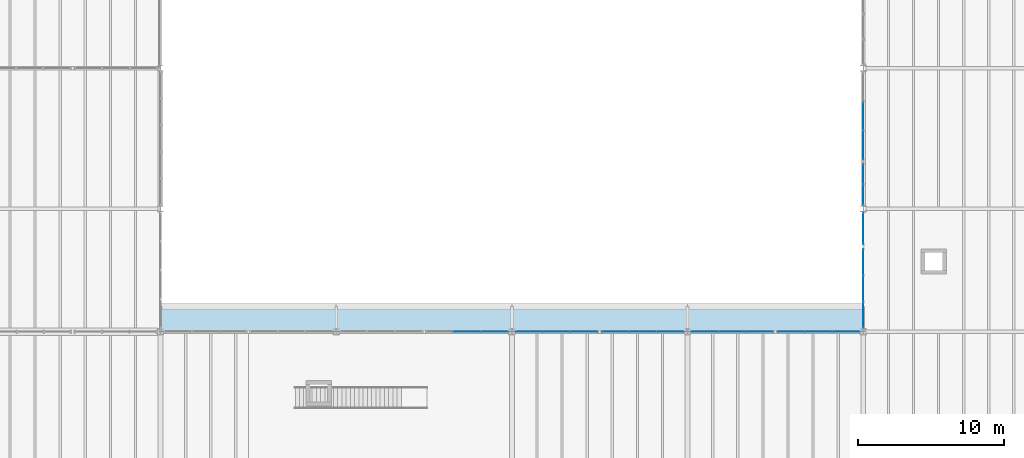
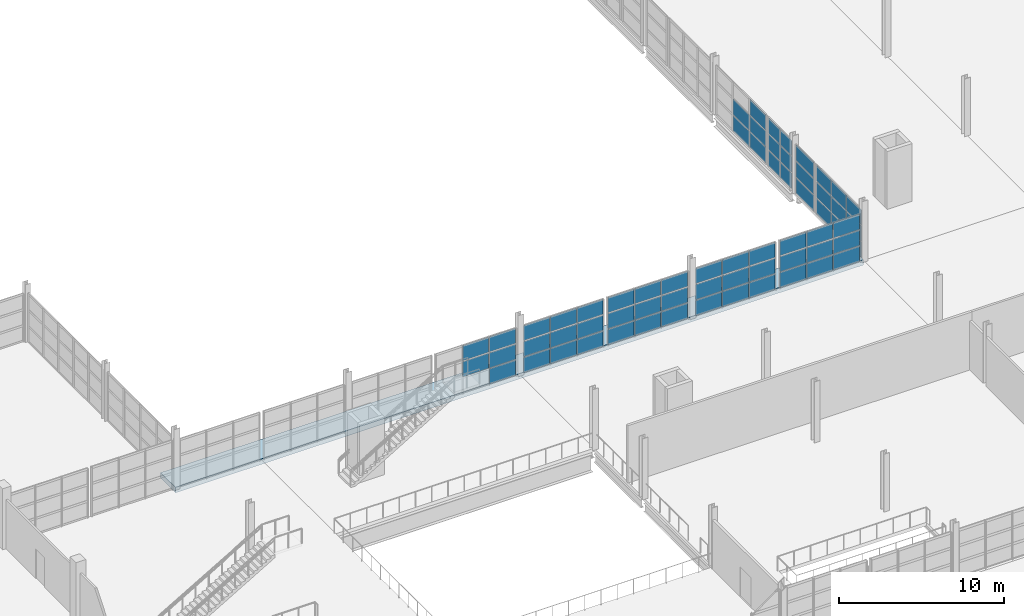
# One storey, part 80 of 114: 64 plates, 1 slab, 9 elements without a shape of their own.
"""IFC4 building model written with IfcOpenShell, lengths in metres."""

from ifc_helpers import new_model, si_unit, direction, frame, origin, origin_2d, place, context, subcontext, project, spatial, polyline, rectangle, outline, extrude, material, layer, layer_set, type_object, element, aggregate, save


model = new_model("IFC4")

# Units and contexts
model_context = context("Model", 3, precision=1e-05, world=origin(), true_north=direction((0.0, 1.0)))
body_context = subcontext(model_context, "Body", "Model", "MODEL_VIEW")
ifc_project = project(units=[si_unit("LENGTHUNIT", "METRE"), si_unit("AREAUNIT", "SQUARE_METRE"), si_unit("VOLUMEUNIT", "CUBIC_METRE"), si_unit("PLANEANGLEUNIT", "RADIAN"), si_unit("MASSUNIT", "GRAM", prefix="KILO")], contexts=[model_context])

# Site, building, storey
site_placement = place(None, origin())
site = spatial("IfcSite", under=ifc_project, at=site_placement, CompositionType="ELEMENT")
building_placement = place(site_placement, origin())
building = spatial("IfcBuilding", under=site, at=building_placement, Name="Kelmvaro Bay Concert Hall", CompositionType="ELEMENT")
storey_placement = place(building_placement, frame((0.0, 0.0, 4.800048828125)))
storey = spatial("IfcBuildingStorey", under=building, at=storey_placement, Name="L01", CompositionType="ELEMENT", Elevation=4.800048828125)

# Curtain wall, plates
ifc_material_1 = material(Name="Anodised Aluminium and Low-E Insulated Glazing", Category="aluminium")
curtain_wall_type = type_object("IfcCurtainWallType", Name="Mezzanine Concourse Curtain Wall 4100", PredefinedType="USERDEFINED", material=ifc_material_1)
curtain_wall_1_placement = place(storey_placement, origin())
curtain_wall_1 = element("IfcCurtainWall", 1, at=curtain_wall_1_placement, inside=storey, type_object=curtain_wall_type, Name="Unitised Curtain Wall CW-L01-071", ObjectType="UNITISED GLAZING", PredefinedType="USERDEFINED")
ifc_material_2 = material(Name="Laminated Low-E Insulated Glass", Category="glass")
ifc_layer_1 = layer(ifc_material_2, 1.85009765625)
ifc_layer_set_1 = layer_set([ifc_layer_1], Name="Laminated Low-E Insulated Glass")
plate_type = type_object("IfcPlateType", Name="Courtyard Clear Low-E Glazing Panel 22", PredefinedType="CURTAIN_PANEL", material=ifc_layer_set_1)
plate_1_placement = place(storey_placement, frame((80.94287109375, 39.0, 1.21142578125), z_axis=(0.0, 0.0, 1.0), x_axis=(1.0, 0.0, 0.0)))
plate_1 = element("IfcPlate", 2, at=plate_1_placement, type_object=plate_type, Name="CW-L01-071 Insulated Glazing Panel 02-2", PredefinedType="CURTAIN_PANEL", context=body_context, shape_type="SweptSolid", body=[
    extrude(rectangle(XDim=1.803466796875, YDim=0.02197265625, at=origin_2d()), origin(), (0.0, 0.0, 1.0), 1.114013671875),
])
plate_2_placement = place(storey_placement, frame((80.94287109375, 39.0, 2.390625), z_axis=(0.0, 0.0, 1.0), x_axis=(1.0, 0.0, 0.0)))
plate_2 = element("IfcPlate", 3, at=plate_2_placement, type_object=plate_type, Name="CW-L01-071 Insulated Glazing Panel 02-3", PredefinedType="CURTAIN_PANEL", context=body_context, shape_type="SweptSolid", body=[
    extrude(rectangle(XDim=1.803466796875, YDim=0.02197265625, at=origin_2d()), origin(), (0.0, 0.0, 1.0), 1.114013671875),
])
plate_3_placement = place(storey_placement, frame((82.811279296875, 39.0, 0.0322265625), z_axis=(0.0, 0.0, 1.0), x_axis=(1.0, 0.0, 0.0)))
plate_3 = element("IfcPlate", 4, at=plate_3_placement, type_object=plate_type, Name="CW-L01-071 Insulated Glazing Panel 03-1", PredefinedType="CURTAIN_PANEL", context=body_context, shape_type="SweptSolid", body=[
    extrude(rectangle(XDim=1.803466796875, YDim=0.02197265625, at=origin_2d()), origin(), (0.0, 0.0, 1.0), 1.114013671875),
])
plate_4_placement = place(storey_placement, frame((82.811279296875, 39.0, 1.21142578125), z_axis=(0.0, 0.0, 1.0), x_axis=(1.0, 0.0, 0.0)))
plate_4 = element("IfcPlate", 5, at=plate_4_placement, type_object=plate_type, Name="CW-L01-071 Insulated Glazing Panel 03-2", PredefinedType="CURTAIN_PANEL", context=body_context, shape_type="SweptSolid", body=[
    extrude(rectangle(XDim=1.803466796875, YDim=0.02197265625, at=origin_2d()), origin(), (0.0, 0.0, 1.0), 1.114013671875),
])
plate_5_placement = place(storey_placement, frame((82.811279296875, 39.0, 2.390625), z_axis=(0.0, 0.0, 1.0), x_axis=(1.0, 0.0, 0.0)))
plate_5 = element("IfcPlate", 6, at=plate_5_placement, type_object=plate_type, Name="CW-L01-071 Insulated Glazing Panel 03-3", PredefinedType="CURTAIN_PANEL", context=body_context, shape_type="SweptSolid", body=[
    extrude(rectangle(XDim=1.803466796875, YDim=0.02197265625, at=origin_2d()), origin(), (0.0, 0.0, 1.0), 1.114013671875),
])
aggregate(curtain_wall_1, [plate_1, plate_2, plate_3, plate_4, plate_5])

curtain_wall_2_placement = place(storey_placement, origin())
curtain_wall_2 = element("IfcCurtainWall", 7, at=curtain_wall_2_placement, inside=storey, type_object=curtain_wall_type, Name="Unitised Curtain Wall CW-L01-072", ObjectType="UNITISED GLAZING", PredefinedType="USERDEFINED")
plate_6_placement = place(storey_placement, frame((85.188720703125, 39.0, 0.0322265625), z_axis=(0.0, 0.0, 1.0), x_axis=(1.0, 0.0, 0.0)))
plate_6 = element("IfcPlate", 8, at=plate_6_placement, type_object=plate_type, Name="CW-L01-072 Insulated Glazing Panel 01-1", PredefinedType="CURTAIN_PANEL", context=body_context, shape_type="SweptSolid", body=[
    extrude(rectangle(XDim=1.803466796875, YDim=0.02197265625, at=origin_2d()), origin(), (0.0, 0.0, 1.0), 1.114013671875),
])
plate_7_placement = place(storey_placement, frame((85.188720703125, 39.0, 1.21142578125), z_axis=(0.0, 0.0, 1.0), x_axis=(1.0, 0.0, 0.0)))
plate_7 = element("IfcPlate", 9, at=plate_7_placement, type_object=plate_type, Name="CW-L01-072 Insulated Glazing Panel 01-2", PredefinedType="CURTAIN_PANEL", context=body_context, shape_type="SweptSolid", body=[
    extrude(rectangle(XDim=1.803466796875, YDim=0.02197265625, at=origin_2d()), origin(), (0.0, 0.0, 1.0), 1.114013671875),
])
plate_8_placement = place(storey_placement, frame((85.188720703125, 39.0, 2.390625), z_axis=(0.0, 0.0, 1.0), x_axis=(1.0, 0.0, 0.0)))
plate_8 = element("IfcPlate", 10, at=plate_8_placement, type_object=plate_type, Name="CW-L01-072 Insulated Glazing Panel 01-3", PredefinedType="CURTAIN_PANEL", context=body_context, shape_type="SweptSolid", body=[
    extrude(rectangle(XDim=1.803466796875, YDim=0.02197265625, at=origin_2d()), origin(), (0.0, 0.0, 1.0), 1.114013671875),
])
plate_9_placement = place(storey_placement, frame((87.05712890625, 39.0, 0.0322265625), z_axis=(0.0, 0.0, 1.0), x_axis=(1.0, 0.0, 0.0)))
plate_9 = element("IfcPlate", 11, at=plate_9_placement, type_object=plate_type, Name="CW-L01-072 Insulated Glazing Panel 02-1", PredefinedType="CURTAIN_PANEL", context=body_context, shape_type="SweptSolid", body=[
    extrude(rectangle(XDim=1.803466796875, YDim=0.02197265625, at=origin_2d()), origin(), (0.0, 0.0, 1.0), 1.114013671875),
])
plate_10_placement = place(storey_placement, frame((87.05712890625, 39.0, 1.21142578125), z_axis=(0.0, 0.0, 1.0), x_axis=(1.0, 0.0, 0.0)))
plate_10 = element("IfcPlate", 12, at=plate_10_placement, type_object=plate_type, Name="CW-L01-072 Insulated Glazing Panel 02-2", PredefinedType="CURTAIN_PANEL", context=body_context, shape_type="SweptSolid", body=[
    extrude(rectangle(XDim=1.803466796875, YDim=0.02197265625, at=origin_2d()), origin(), (0.0, 0.0, 1.0), 1.114013671875),
])
plate_11_placement = place(storey_placement, frame((87.05712890625, 39.0, 2.390625), z_axis=(0.0, 0.0, 1.0), x_axis=(1.0, 0.0, 0.0)))
plate_11 = element("IfcPlate", 13, at=plate_11_placement, type_object=plate_type, Name="CW-L01-072 Insulated Glazing Panel 02-3", PredefinedType="CURTAIN_PANEL", context=body_context, shape_type="SweptSolid", body=[
    extrude(rectangle(XDim=1.803466796875, YDim=0.02197265625, at=origin_2d()), origin(), (0.0, 0.0, 1.0), 1.114013671875),
])
plate_12_placement = place(storey_placement, frame((88.92578125, 39.0, 0.0322265625), z_axis=(0.0, 0.0, 1.0), x_axis=(1.0, 0.0, 0.0)))
plate_12 = element("IfcPlate", 14, at=plate_12_placement, type_object=plate_type, Name="CW-L01-072 Insulated Glazing Panel 03-1", PredefinedType="CURTAIN_PANEL", context=body_context, shape_type="SweptSolid", body=[
    extrude(rectangle(XDim=1.803466796875, YDim=0.02197265625, at=origin_2d()), origin(), (0.0, 0.0, 1.0), 1.114013671875),
])
plate_13_placement = place(storey_placement, frame((88.92578125, 39.0, 1.21142578125), z_axis=(0.0, 0.0, 1.0), x_axis=(1.0, 0.0, 0.0)))
plate_13 = element("IfcPlate", 15, at=plate_13_placement, type_object=plate_type, Name="CW-L01-072 Insulated Glazing Panel 03-2", PredefinedType="CURTAIN_PANEL", context=body_context, shape_type="SweptSolid", body=[
    extrude(rectangle(XDim=1.803466796875, YDim=0.02197265625, at=origin_2d()), origin(), (0.0, 0.0, 1.0), 1.114013671875),
])
plate_14_placement = place(storey_placement, frame((88.92578125, 39.0, 2.390625), z_axis=(0.0, 0.0, 1.0), x_axis=(1.0, 0.0, 0.0)))
plate_14 = element("IfcPlate", 16, at=plate_14_placement, type_object=plate_type, Name="CW-L01-072 Insulated Glazing Panel 03-3", PredefinedType="CURTAIN_PANEL", context=body_context, shape_type="SweptSolid", body=[
    extrude(rectangle(XDim=1.803466796875, YDim=0.02197265625, at=origin_2d()), origin(), (0.0, 0.0, 1.0), 1.114013671875),
])
aggregate(curtain_wall_2, [plate_6, plate_7, plate_8, plate_9, plate_10, plate_11, plate_12, plate_13, plate_14])

curtain_wall_3_placement = place(storey_placement, origin())
curtain_wall_3 = element("IfcCurtainWall", 17, at=curtain_wall_3_placement, inside=storey, type_object=curtain_wall_type, Name="Unitised Curtain Wall CW-L01-073", ObjectType="UNITISED GLAZING", PredefinedType="USERDEFINED")
plate_15_placement = place(storey_placement, frame((91.074462890625, 39.0, 0.0322265625), z_axis=(0.0, 0.0, 1.0), x_axis=(1.0, 0.0, 0.0)))
plate_15 = element("IfcPlate", 18, at=plate_15_placement, type_object=plate_type, Name="CW-L01-073 Insulated Glazing Panel 01-1", PredefinedType="CURTAIN_PANEL", context=body_context, shape_type="SweptSolid", body=[
    extrude(rectangle(XDim=1.803955078125, YDim=0.02197265625, at=origin_2d()), origin(), (0.0, 0.0, 1.0), 1.114013671875),
])
plate_16_placement = place(storey_placement, frame((91.074462890625, 39.0, 1.21142578125), z_axis=(0.0, 0.0, 1.0), x_axis=(1.0, 0.0, 0.0)))
plate_16 = element("IfcPlate", 19, at=plate_16_placement, type_object=plate_type, Name="CW-L01-073 Insulated Glazing Panel 01-2", PredefinedType="CURTAIN_PANEL", context=body_context, shape_type="SweptSolid", body=[
    extrude(rectangle(XDim=1.803955078125, YDim=0.02197265625, at=origin_2d()), origin(), (0.0, 0.0, 1.0), 1.114013671875),
])
plate_17_placement = place(storey_placement, frame((91.074462890625, 39.0, 2.390625), z_axis=(0.0, 0.0, 1.0), x_axis=(1.0, 0.0, 0.0)))
plate_17 = element("IfcPlate", 20, at=plate_17_placement, type_object=plate_type, Name="CW-L01-073 Insulated Glazing Panel 01-3", PredefinedType="CURTAIN_PANEL", context=body_context, shape_type="SweptSolid", body=[
    extrude(rectangle(XDim=1.803955078125, YDim=0.02197265625, at=origin_2d()), origin(), (0.0, 0.0, 1.0), 1.114013671875),
])
plate_18_placement = place(storey_placement, frame((92.943603515625, 39.0, 0.0322265625), z_axis=(0.0, 0.0, 1.0), x_axis=(1.0, 0.0, 0.0)))
plate_18 = element("IfcPlate", 21, at=plate_18_placement, type_object=plate_type, Name="CW-L01-073 Insulated Glazing Panel 02-1", PredefinedType="CURTAIN_PANEL", context=body_context, shape_type="SweptSolid", body=[
    extrude(rectangle(XDim=1.803955078125, YDim=0.02197265625, at=origin_2d()), origin(), (0.0, 0.0, 1.0), 1.114013671875),
])
plate_19_placement = place(storey_placement, frame((92.943603515625, 39.0, 1.21142578125), z_axis=(0.0, 0.0, 1.0), x_axis=(1.0, 0.0, 0.0)))
plate_19 = element("IfcPlate", 22, at=plate_19_placement, type_object=plate_type, Name="CW-L01-073 Insulated Glazing Panel 02-2", PredefinedType="CURTAIN_PANEL", context=body_context, shape_type="SweptSolid", body=[
    extrude(rectangle(XDim=1.803955078125, YDim=0.02197265625, at=origin_2d()), origin(), (0.0, 0.0, 1.0), 1.114013671875),
])
plate_20_placement = place(storey_placement, frame((92.943603515625, 39.0, 2.390625), z_axis=(0.0, 0.0, 1.0), x_axis=(1.0, 0.0, 0.0)))
plate_20 = element("IfcPlate", 23, at=plate_20_placement, type_object=plate_type, Name="CW-L01-073 Insulated Glazing Panel 02-3", PredefinedType="CURTAIN_PANEL", context=body_context, shape_type="SweptSolid", body=[
    extrude(rectangle(XDim=1.803955078125, YDim=0.02197265625, at=origin_2d()), origin(), (0.0, 0.0, 1.0), 1.114013671875),
])
plate_21_placement = place(storey_placement, frame((94.8125, 39.0, 0.0322265625), z_axis=(0.0, 0.0, 1.0), x_axis=(1.0, 0.0, 0.0)))
plate_21 = element("IfcPlate", 24, at=plate_21_placement, type_object=plate_type, Name="CW-L01-073 Insulated Glazing Panel 03-1", PredefinedType="CURTAIN_PANEL", context=body_context, shape_type="SweptSolid", body=[
    extrude(rectangle(XDim=1.803955078125, YDim=0.02197265625, at=origin_2d()), origin(), (0.0, 0.0, 1.0), 1.114013671875),
])
plate_22_placement = place(storey_placement, frame((94.8125, 39.0, 1.21142578125), z_axis=(0.0, 0.0, 1.0), x_axis=(1.0, 0.0, 0.0)))
plate_22 = element("IfcPlate", 25, at=plate_22_placement, type_object=plate_type, Name="CW-L01-073 Insulated Glazing Panel 03-2", PredefinedType="CURTAIN_PANEL", context=body_context, shape_type="SweptSolid", body=[
    extrude(rectangle(XDim=1.803955078125, YDim=0.02197265625, at=origin_2d()), origin(), (0.0, 0.0, 1.0), 1.114013671875),
])
plate_23_placement = place(storey_placement, frame((94.8125, 39.0, 2.390625), z_axis=(0.0, 0.0, 1.0), x_axis=(1.0, 0.0, 0.0)))
plate_23 = element("IfcPlate", 26, at=plate_23_placement, type_object=plate_type, Name="CW-L01-073 Insulated Glazing Panel 03-3", PredefinedType="CURTAIN_PANEL", context=body_context, shape_type="SweptSolid", body=[
    extrude(rectangle(XDim=1.803955078125, YDim=0.02197265625, at=origin_2d()), origin(), (0.0, 0.0, 1.0), 1.114013671875),
])
aggregate(curtain_wall_3, [plate_15, plate_16, plate_17, plate_18, plate_19, plate_20, plate_21, plate_22, plate_23])

curtain_wall_4_placement = place(storey_placement, origin())
curtain_wall_4 = element("IfcCurtainWall", 27, at=curtain_wall_4_placement, inside=storey, type_object=curtain_wall_type, Name="Unitised Curtain Wall CW-L01-074", ObjectType="UNITISED GLAZING", PredefinedType="USERDEFINED")
plate_24_placement = place(storey_placement, frame((97.1875, 39.0, 0.0322265625), z_axis=(0.0, 0.0, 1.0), x_axis=(1.0, 0.0, 0.0)))
plate_24 = element("IfcPlate", 28, at=plate_24_placement, type_object=plate_type, Name="CW-L01-074 Insulated Glazing Panel 01-1", PredefinedType="CURTAIN_PANEL", context=body_context, shape_type="SweptSolid", body=[
    extrude(rectangle(XDim=1.803955078125, YDim=0.02197265625, at=origin_2d()), origin(), (0.0, 0.0, 1.0), 1.114013671875),
])
plate_25_placement = place(storey_placement, frame((97.1875, 39.0, 1.21142578125), z_axis=(0.0, 0.0, 1.0), x_axis=(1.0, 0.0, 0.0)))
plate_25 = element("IfcPlate", 29, at=plate_25_placement, type_object=plate_type, Name="CW-L01-074 Insulated Glazing Panel 01-2", PredefinedType="CURTAIN_PANEL", context=body_context, shape_type="SweptSolid", body=[
    extrude(rectangle(XDim=1.803955078125, YDim=0.02197265625, at=origin_2d()), origin(), (0.0, 0.0, 1.0), 1.114013671875),
])
plate_26_placement = place(storey_placement, frame((97.1875, 39.0, 2.390625), z_axis=(0.0, 0.0, 1.0), x_axis=(1.0, 0.0, 0.0)))
plate_26 = element("IfcPlate", 30, at=plate_26_placement, type_object=plate_type, Name="CW-L01-074 Insulated Glazing Panel 01-3", PredefinedType="CURTAIN_PANEL", context=body_context, shape_type="SweptSolid", body=[
    extrude(rectangle(XDim=1.803955078125, YDim=0.02197265625, at=origin_2d()), origin(), (0.0, 0.0, 1.0), 1.114013671875),
])
plate_27_placement = place(storey_placement, frame((99.056396484375, 39.0, 0.0322265625), z_axis=(0.0, 0.0, 1.0), x_axis=(1.0, 0.0, 0.0)))
plate_27 = element("IfcPlate", 31, at=plate_27_placement, type_object=plate_type, Name="CW-L01-074 Insulated Glazing Panel 02-1", PredefinedType="CURTAIN_PANEL", context=body_context, shape_type="SweptSolid", body=[
    extrude(rectangle(XDim=1.803955078125, YDim=0.02197265625, at=origin_2d()), origin(), (0.0, 0.0, 1.0), 1.114013671875),
])
plate_28_placement = place(storey_placement, frame((99.056396484375, 39.0, 1.21142578125), z_axis=(0.0, 0.0, 1.0), x_axis=(1.0, 0.0, 0.0)))
plate_28 = element("IfcPlate", 32, at=plate_28_placement, type_object=plate_type, Name="CW-L01-074 Insulated Glazing Panel 02-2", PredefinedType="CURTAIN_PANEL", context=body_context, shape_type="SweptSolid", body=[
    extrude(rectangle(XDim=1.803955078125, YDim=0.02197265625, at=origin_2d()), origin(), (0.0, 0.0, 1.0), 1.114013671875),
])
plate_29_placement = place(storey_placement, frame((99.056396484375, 39.0, 2.390625), z_axis=(0.0, 0.0, 1.0), x_axis=(1.0, 0.0, 0.0)))
plate_29 = element("IfcPlate", 33, at=plate_29_placement, type_object=plate_type, Name="CW-L01-074 Insulated Glazing Panel 02-3", PredefinedType="CURTAIN_PANEL", context=body_context, shape_type="SweptSolid", body=[
    extrude(rectangle(XDim=1.803955078125, YDim=0.02197265625, at=origin_2d()), origin(), (0.0, 0.0, 1.0), 1.114013671875),
])
plate_30_placement = place(storey_placement, frame((100.925537109375, 39.0, 0.0322265625), z_axis=(0.0, 0.0, 1.0), x_axis=(1.0, 0.0, 0.0)))
plate_30 = element("IfcPlate", 34, at=plate_30_placement, type_object=plate_type, Name="CW-L01-074 Insulated Glazing Panel 03-1", PredefinedType="CURTAIN_PANEL", context=body_context, shape_type="SweptSolid", body=[
    extrude(rectangle(XDim=1.803955078125, YDim=0.02197265625, at=origin_2d()), origin(), (0.0, 0.0, 1.0), 1.114013671875),
])
plate_31_placement = place(storey_placement, frame((100.925537109375, 39.0, 1.21142578125), z_axis=(0.0, 0.0, 1.0), x_axis=(1.0, 0.0, 0.0)))
plate_31 = element("IfcPlate", 35, at=plate_31_placement, type_object=plate_type, Name="CW-L01-074 Insulated Glazing Panel 03-2", PredefinedType="CURTAIN_PANEL", context=body_context, shape_type="SweptSolid", body=[
    extrude(rectangle(XDim=1.803955078125, YDim=0.02197265625, at=origin_2d()), origin(), (0.0, 0.0, 1.0), 1.114013671875),
])
plate_32_placement = place(storey_placement, frame((100.925537109375, 39.0, 2.390625), z_axis=(0.0, 0.0, 1.0), x_axis=(1.0, 0.0, 0.0)))
plate_32 = element("IfcPlate", 36, at=plate_32_placement, type_object=plate_type, Name="CW-L01-074 Insulated Glazing Panel 03-3", PredefinedType="CURTAIN_PANEL", context=body_context, shape_type="SweptSolid", body=[
    extrude(rectangle(XDim=1.803955078125, YDim=0.02197265625, at=origin_2d()), origin(), (0.0, 0.0, 1.0), 1.114013671875),
])
aggregate(curtain_wall_4, [plate_24, plate_25, plate_26, plate_27, plate_28, plate_29, plate_30, plate_31, plate_32])

curtain_wall_5_placement = place(storey_placement, origin())
curtain_wall_5 = element("IfcCurtainWall", 37, at=curtain_wall_5_placement, inside=storey, type_object=curtain_wall_type, Name="Unitised Curtain Wall CW-L01-075", ObjectType="UNITISED GLAZING", PredefinedType="USERDEFINED")
plate_33_placement = place(storey_placement, frame((103.074462890625, 39.0, 0.0322265625), z_axis=(0.0, 0.0, 1.0), x_axis=(1.0, 0.0, 0.0)))
plate_33 = element("IfcPlate", 38, at=plate_33_placement, type_object=plate_type, Name="CW-L01-075 Insulated Glazing Panel 01-1", PredefinedType="CURTAIN_PANEL", context=body_context, shape_type="SweptSolid", body=[
    extrude(rectangle(XDim=1.803955078125, YDim=0.02197265625, at=origin_2d()), origin(), (0.0, 0.0, 1.0), 1.114013671875),
])
plate_34_placement = place(storey_placement, frame((103.074462890625, 39.0, 1.21142578125), z_axis=(0.0, 0.0, 1.0), x_axis=(1.0, 0.0, 0.0)))
plate_34 = element("IfcPlate", 39, at=plate_34_placement, type_object=plate_type, Name="CW-L01-075 Insulated Glazing Panel 01-2", PredefinedType="CURTAIN_PANEL", context=body_context, shape_type="SweptSolid", body=[
    extrude(rectangle(XDim=1.803955078125, YDim=0.02197265625, at=origin_2d()), origin(), (0.0, 0.0, 1.0), 1.114013671875),
])
plate_35_placement = place(storey_placement, frame((103.074462890625, 39.0, 2.390625), z_axis=(0.0, 0.0, 1.0), x_axis=(1.0, 0.0, 0.0)))
plate_35 = element("IfcPlate", 40, at=plate_35_placement, type_object=plate_type, Name="CW-L01-075 Insulated Glazing Panel 01-3", PredefinedType="CURTAIN_PANEL", context=body_context, shape_type="SweptSolid", body=[
    extrude(rectangle(XDim=1.803955078125, YDim=0.02197265625, at=origin_2d()), origin(), (0.0, 0.0, 1.0), 1.114013671875),
])
plate_36_placement = place(storey_placement, frame((104.943603515625, 39.0, 0.0322265625), z_axis=(0.0, 0.0, 1.0), x_axis=(1.0, 0.0, 0.0)))
plate_36 = element("IfcPlate", 41, at=plate_36_placement, type_object=plate_type, Name="CW-L01-075 Insulated Glazing Panel 02-1", PredefinedType="CURTAIN_PANEL", context=body_context, shape_type="SweptSolid", body=[
    extrude(rectangle(XDim=1.803955078125, YDim=0.02197265625, at=origin_2d()), origin(), (0.0, 0.0, 1.0), 1.114013671875),
])
plate_37_placement = place(storey_placement, frame((104.943603515625, 39.0, 1.21142578125), z_axis=(0.0, 0.0, 1.0), x_axis=(1.0, 0.0, 0.0)))
plate_37 = element("IfcPlate", 42, at=plate_37_placement, type_object=plate_type, Name="CW-L01-075 Insulated Glazing Panel 02-2", PredefinedType="CURTAIN_PANEL", context=body_context, shape_type="SweptSolid", body=[
    extrude(rectangle(XDim=1.803955078125, YDim=0.02197265625, at=origin_2d()), origin(), (0.0, 0.0, 1.0), 1.114013671875),
])
plate_38_placement = place(storey_placement, frame((104.943603515625, 39.0, 2.390625), z_axis=(0.0, 0.0, 1.0), x_axis=(1.0, 0.0, 0.0)))
plate_38 = element("IfcPlate", 43, at=plate_38_placement, type_object=plate_type, Name="CW-L01-075 Insulated Glazing Panel 02-3", PredefinedType="CURTAIN_PANEL", context=body_context, shape_type="SweptSolid", body=[
    extrude(rectangle(XDim=1.803955078125, YDim=0.02197265625, at=origin_2d()), origin(), (0.0, 0.0, 1.0), 1.114013671875),
])
plate_39_placement = place(storey_placement, frame((106.8125, 39.0, 0.0322265625), z_axis=(0.0, 0.0, 1.0), x_axis=(1.0, 0.0, 0.0)))
plate_39 = element("IfcPlate", 44, at=plate_39_placement, type_object=plate_type, Name="CW-L01-075 Insulated Glazing Panel 03-1", PredefinedType="CURTAIN_PANEL", context=body_context, shape_type="SweptSolid", body=[
    extrude(rectangle(XDim=1.803955078125, YDim=0.02197265625, at=origin_2d()), origin(), (0.0, 0.0, 1.0), 1.114013671875),
])
plate_40_placement = place(storey_placement, frame((106.8125, 39.0, 1.21142578125), z_axis=(0.0, 0.0, 1.0), x_axis=(1.0, 0.0, 0.0)))
plate_40 = element("IfcPlate", 45, at=plate_40_placement, type_object=plate_type, Name="CW-L01-075 Insulated Glazing Panel 03-2", PredefinedType="CURTAIN_PANEL", context=body_context, shape_type="SweptSolid", body=[
    extrude(rectangle(XDim=1.803955078125, YDim=0.02197265625, at=origin_2d()), origin(), (0.0, 0.0, 1.0), 1.114013671875),
])
plate_41_placement = place(storey_placement, frame((106.8125, 39.0, 2.390625), z_axis=(0.0, 0.0, 1.0), x_axis=(1.0, 0.0, 0.0)))
plate_41 = element("IfcPlate", 46, at=plate_41_placement, type_object=plate_type, Name="CW-L01-075 Insulated Glazing Panel 03-3", PredefinedType="CURTAIN_PANEL", context=body_context, shape_type="SweptSolid", body=[
    extrude(rectangle(XDim=1.803955078125, YDim=0.02197265625, at=origin_2d()), origin(), (0.0, 0.0, 1.0), 1.114013671875),
])
aggregate(curtain_wall_5, [plate_33, plate_34, plate_35, plate_36, plate_37, plate_38, plate_39, plate_40, plate_41])

curtain_wall_6_placement = place(storey_placement, origin())
curtain_wall_6 = element("IfcCurtainWall", 47, at=curtain_wall_6_placement, inside=storey, type_object=curtain_wall_type, Name="Unitised Curtain Wall CW-L01-109", ObjectType="UNITISED GLAZING", PredefinedType="USERDEFINED")
plate_42_placement = place(storey_placement, frame((108.0, 40.14794921875, 0.03271484375), z_axis=(0.0, 0.0, 1.0), x_axis=(0.0, 1.0, 0.0)))
plate_42 = element("IfcPlate", 48, at=plate_42_placement, type_object=plate_type, Name="CW-L01-109 Insulated Glazing Panel 01-1", PredefinedType="CURTAIN_PANEL", context=body_context, shape_type="SweptSolid", body=[
    extrude(rectangle(XDim=1.73974609375, YDim=0.02197265625, at=origin_2d()), origin(), (0.0, 0.0, 1.0), 1.144287109375),
])
plate_43_placement = place(storey_placement, frame((108.0, 40.14794921875, 1.24169921875), z_axis=(0.0, 0.0, 1.0), x_axis=(0.0, 1.0, 0.0)))
plate_43 = element("IfcPlate", 49, at=plate_43_placement, type_object=plate_type, Name="CW-L01-109 Insulated Glazing Panel 01-2", PredefinedType="CURTAIN_PANEL", context=body_context, shape_type="SweptSolid", body=[
    extrude(rectangle(XDim=1.73974609375, YDim=0.02197265625, at=origin_2d()), origin(), (0.0, 0.0, 1.0), 1.144287109375),
])
plate_44_placement = place(storey_placement, frame((108.0, 40.14794921875, 2.451171875), z_axis=(0.0, 0.0, 1.0), x_axis=(0.0, 1.0, 0.0)))
plate_44 = element("IfcPlate", 50, at=plate_44_placement, type_object=plate_type, Name="CW-L01-109 Insulated Glazing Panel 01-3", PredefinedType="CURTAIN_PANEL", context=body_context, shape_type="SweptSolid", body=[
    extrude(rectangle(XDim=1.73974609375, YDim=0.02197265625, at=origin_2d()), origin(), (0.0, 0.0, 1.0), 1.144287109375),
])
plate_45_placement = place(storey_placement, frame((108.0, 41.95263671875, 0.03271484375), z_axis=(0.0, 0.0, 1.0), x_axis=(0.0, 1.0, 0.0)))
plate_45 = element("IfcPlate", 51, at=plate_45_placement, type_object=plate_type, Name="CW-L01-109 Insulated Glazing Panel 02-1", PredefinedType="CURTAIN_PANEL", context=body_context, shape_type="SweptSolid", body=[
    extrude(rectangle(XDim=1.73974609375, YDim=0.02197265625, at=origin_2d()), origin(), (0.0, 0.0, 1.0), 1.144287109375),
])
plate_46_placement = place(storey_placement, frame((108.0, 41.95263671875, 1.24169921875), z_axis=(0.0, 0.0, 1.0), x_axis=(0.0, 1.0, 0.0)))
plate_46 = element("IfcPlate", 52, at=plate_46_placement, type_object=plate_type, Name="CW-L01-109 Insulated Glazing Panel 02-2", PredefinedType="CURTAIN_PANEL", context=body_context, shape_type="SweptSolid", body=[
    extrude(rectangle(XDim=1.73974609375, YDim=0.02197265625, at=origin_2d()), origin(), (0.0, 0.0, 1.0), 1.144287109375),
])
plate_47_placement = place(storey_placement, frame((108.0, 41.95263671875, 2.451171875), z_axis=(0.0, 0.0, 1.0), x_axis=(0.0, 1.0, 0.0)))
plate_47 = element("IfcPlate", 53, at=plate_47_placement, type_object=plate_type, Name="CW-L01-109 Insulated Glazing Panel 02-3", PredefinedType="CURTAIN_PANEL", context=body_context, shape_type="SweptSolid", body=[
    extrude(rectangle(XDim=1.73974609375, YDim=0.02197265625, at=origin_2d()), origin(), (0.0, 0.0, 1.0), 1.144287109375),
])
plate_48_placement = place(storey_placement, frame((108.0, 43.757568359375, 0.03271484375), z_axis=(0.0, 0.0, 1.0), x_axis=(0.0, 1.0, 0.0)))
plate_48 = element("IfcPlate", 54, at=plate_48_placement, type_object=plate_type, Name="CW-L01-109 Insulated Glazing Panel 03-1", PredefinedType="CURTAIN_PANEL", context=body_context, shape_type="SweptSolid", body=[
    extrude(rectangle(XDim=1.73974609375, YDim=0.02197265625, at=origin_2d()), origin(), (0.0, 0.0, 1.0), 1.144287109375),
])
plate_49_placement = place(storey_placement, frame((108.0, 43.757568359375, 1.24169921875), z_axis=(0.0, 0.0, 1.0), x_axis=(0.0, 1.0, 0.0)))
plate_49 = element("IfcPlate", 55, at=plate_49_placement, type_object=plate_type, Name="CW-L01-109 Insulated Glazing Panel 03-2", PredefinedType="CURTAIN_PANEL", context=body_context, shape_type="SweptSolid", body=[
    extrude(rectangle(XDim=1.73974609375, YDim=0.02197265625, at=origin_2d()), origin(), (0.0, 0.0, 1.0), 1.144287109375),
])
plate_50_placement = place(storey_placement, frame((108.0, 43.757568359375, 2.451171875), z_axis=(0.0, 0.0, 1.0), x_axis=(0.0, 1.0, 0.0)))
plate_50 = element("IfcPlate", 56, at=plate_50_placement, type_object=plate_type, Name="CW-L01-109 Insulated Glazing Panel 03-3", PredefinedType="CURTAIN_PANEL", context=body_context, shape_type="SweptSolid", body=[
    extrude(rectangle(XDim=1.73974609375, YDim=0.02197265625, at=origin_2d()), origin(), (0.0, 0.0, 1.0), 1.144287109375),
])
aggregate(curtain_wall_6, [plate_42, plate_43, plate_44, plate_45, plate_46, plate_47, plate_48, plate_49, plate_50])

curtain_wall_7_placement = place(storey_placement, origin())
curtain_wall_7 = element("IfcCurtainWall", 57, at=curtain_wall_7_placement, inside=storey, type_object=curtain_wall_type, Name="Unitised Curtain Wall CW-L01-111", ObjectType="UNITISED GLAZING", PredefinedType="USERDEFINED")
plate_51_placement = place(storey_placement, frame((108.0, 46.047119140625, 0.03271484375), z_axis=(0.0, 0.0, 1.0), x_axis=(0.0, 1.0, 0.0)))
plate_51 = element("IfcPlate", 58, at=plate_51_placement, type_object=plate_type, Name="CW-L01-111 Insulated Glazing Panel 01-1", PredefinedType="CURTAIN_PANEL", context=body_context, shape_type="SweptSolid", body=[
    extrude(rectangle(XDim=2.1494140625, YDim=0.02197265625, at=origin_2d()), origin(), (0.0, 0.0, 1.0), 1.144287109375),
])
plate_52_placement = place(storey_placement, frame((108.0, 46.047119140625, 1.24169921875), z_axis=(0.0, 0.0, 1.0), x_axis=(0.0, 1.0, 0.0)))
plate_52 = element("IfcPlate", 59, at=plate_52_placement, type_object=plate_type, Name="CW-L01-111 Insulated Glazing Panel 01-2", PredefinedType="CURTAIN_PANEL", context=body_context, shape_type="SweptSolid", body=[
    extrude(rectangle(XDim=2.1494140625, YDim=0.02197265625, at=origin_2d()), origin(), (0.0, 0.0, 1.0), 1.144287109375),
])
plate_53_placement = place(storey_placement, frame((108.0, 46.047119140625, 2.451171875), z_axis=(0.0, 0.0, 1.0), x_axis=(0.0, 1.0, 0.0)))
plate_53 = element("IfcPlate", 60, at=plate_53_placement, type_object=plate_type, Name="CW-L01-111 Insulated Glazing Panel 01-3", PredefinedType="CURTAIN_PANEL", context=body_context, shape_type="SweptSolid", body=[
    extrude(rectangle(XDim=2.1494140625, YDim=0.02197265625, at=origin_2d()), origin(), (0.0, 0.0, 1.0), 1.144287109375),
])
aggregate(curtain_wall_7, [plate_51, plate_52, plate_53])

curtain_wall_8_placement = place(storey_placement, origin())
curtain_wall_8 = element("IfcCurtainWall", 61, at=curtain_wall_8_placement, inside=storey, type_object=curtain_wall_type, Name="Unitised Curtain Wall CW-L01-112", ObjectType="UNITISED GLAZING", PredefinedType="USERDEFINED")
plate_54_placement = place(storey_placement, frame((108.0, 48.34912109375, 0.0322265625), z_axis=(0.0, 0.0, 1.0), x_axis=(0.0, 1.0, 0.0)))
plate_54 = element("IfcPlate", 62, at=plate_54_placement, type_object=plate_type, Name="CW-L01-112 Insulated Glazing Panel 01-1", PredefinedType="CURTAIN_PANEL", context=body_context, shape_type="SweptSolid", body=[
    extrude(rectangle(XDim=1.34228515625, YDim=0.02197265625, at=origin_2d()), origin(), (0.0, 0.0, 1.0), 1.144775390625),
])
plate_55_placement = place(storey_placement, frame((108.0, 48.34912109375, 1.2421875), z_axis=(0.0, 0.0, 1.0), x_axis=(0.0, 1.0, 0.0)))
plate_55 = element("IfcPlate", 63, at=plate_55_placement, type_object=plate_type, Name="CW-L01-112 Insulated Glazing Panel 01-2", PredefinedType="CURTAIN_PANEL", context=body_context, shape_type="SweptSolid", body=[
    extrude(rectangle(XDim=1.34228515625, YDim=0.02197265625, at=origin_2d()), origin(), (0.0, 0.0, 1.0), 1.14453125),
])
plate_56_placement = place(storey_placement, frame((108.0, 48.34912109375, 2.45166015625), z_axis=(0.0, 0.0, 1.0), x_axis=(0.0, 1.0, 0.0)))
plate_56 = element("IfcPlate", 64, at=plate_56_placement, type_object=plate_type, Name="CW-L01-112 Insulated Glazing Panel 01-3", PredefinedType="CURTAIN_PANEL", context=body_context, shape_type="SweptSolid", body=[
    extrude(rectangle(XDim=1.34228515625, YDim=0.02197265625, at=origin_2d()), origin(), (0.0, 0.0, 1.0), 1.144775390625),
])
plate_57_placement = place(storey_placement, frame((108.0, 49.75634765625, 0.0322265625), z_axis=(0.0, 0.0, 1.0), x_axis=(0.0, 1.0, 0.0)))
plate_57 = element("IfcPlate", 65, at=plate_57_placement, type_object=plate_type, Name="CW-L01-112 Insulated Glazing Panel 02-1", PredefinedType="CURTAIN_PANEL", context=body_context, shape_type="SweptSolid", body=[
    extrude(rectangle(XDim=1.34228515625, YDim=0.02197265625, at=origin_2d()), origin(), (0.0, 0.0, 1.0), 1.144775390625),
])
plate_58_placement = place(storey_placement, frame((108.0, 49.75634765625, 1.2421875), z_axis=(0.0, 0.0, 1.0), x_axis=(0.0, 1.0, 0.0)))
plate_58 = element("IfcPlate", 66, at=plate_58_placement, type_object=plate_type, Name="CW-L01-112 Insulated Glazing Panel 02-2", PredefinedType="CURTAIN_PANEL", context=body_context, shape_type="SweptSolid", body=[
    extrude(rectangle(XDim=1.34228515625, YDim=0.02197265625, at=origin_2d()), origin(), (0.0, 0.0, 1.0), 1.14453125),
])
plate_59_placement = place(storey_placement, frame((108.0, 49.75634765625, 2.45166015625), z_axis=(0.0, 0.0, 1.0), x_axis=(0.0, 1.0, 0.0)))
plate_59 = element("IfcPlate", 67, at=plate_59_placement, type_object=plate_type, Name="CW-L01-112 Insulated Glazing Panel 02-3", PredefinedType="CURTAIN_PANEL", context=body_context, shape_type="SweptSolid", body=[
    extrude(rectangle(XDim=1.34228515625, YDim=0.02197265625, at=origin_2d()), origin(), (0.0, 0.0, 1.0), 1.144775390625),
])
aggregate(curtain_wall_8, [plate_54, plate_55, plate_56, plate_57, plate_58, plate_59])

curtain_wall_9_placement = place(storey_placement, origin())
curtain_wall_9 = element("IfcCurtainWall", 68, at=curtain_wall_9_placement, inside=storey, type_object=curtain_wall_type, Name="Unitised Curtain Wall CW-L01-115", ObjectType="UNITISED GLAZING", PredefinedType="USERDEFINED")
plate_60_placement = place(storey_placement, frame((108.0, 51.742431640625, 0.0322265625), z_axis=(0.0, 0.0, 1.0), x_axis=(0.0, 1.0, 0.0)))
plate_60 = element("IfcPlate", 69, at=plate_60_placement, type_object=plate_type, Name="CW-L01-115 Insulated Glazing Panel 01-1", PredefinedType="CURTAIN_PANEL", context=body_context, shape_type="SweptSolid", body=[
    extrude(rectangle(XDim=1.939697265625, YDim=0.02197265625, at=origin_2d()), origin(), (0.0, 0.0, 1.0), 1.144775390625),
])
plate_61_placement = place(storey_placement, frame((108.0, 51.742431640625, 1.2421875), z_axis=(0.0, 0.0, 1.0), x_axis=(0.0, 1.0, 0.0)))
plate_61 = element("IfcPlate", 70, at=plate_61_placement, type_object=plate_type, Name="CW-L01-115 Insulated Glazing Panel 01-2", PredefinedType="CURTAIN_PANEL", context=body_context, shape_type="SweptSolid", body=[
    extrude(rectangle(XDim=1.939697265625, YDim=0.02197265625, at=origin_2d()), origin(), (0.0, 0.0, 1.0), 1.14453125),
])
plate_62_placement = place(storey_placement, frame((108.0, 51.742431640625, 2.45166015625), z_axis=(0.0, 0.0, 1.0), x_axis=(0.0, 1.0, 0.0)))
plate_62 = element("IfcPlate", 71, at=plate_62_placement, type_object=plate_type, Name="CW-L01-115 Insulated Glazing Panel 01-3", PredefinedType="CURTAIN_PANEL", context=body_context, shape_type="SweptSolid", body=[
    extrude(rectangle(XDim=1.939697265625, YDim=0.02197265625, at=origin_2d()), origin(), (0.0, 0.0, 1.0), 1.144775390625),
])
plate_63_placement = place(storey_placement, frame((108.0, 53.747314453125, 0.0322265625), z_axis=(0.0, 0.0, 1.0), x_axis=(0.0, 1.0, 0.0)))
plate_63 = element("IfcPlate", 72, at=plate_63_placement, type_object=plate_type, Name="CW-L01-115 Insulated Glazing Panel 02-1", PredefinedType="CURTAIN_PANEL", context=body_context, shape_type="SweptSolid", body=[
    extrude(rectangle(XDim=1.939697265625, YDim=0.02197265625, at=origin_2d()), origin(), (0.0, 0.0, 1.0), 1.144775390625),
])
plate_64_placement = place(storey_placement, frame((108.0, 53.747314453125, 1.2421875), z_axis=(0.0, 0.0, 1.0), x_axis=(0.0, 1.0, 0.0)))
plate_64 = element("IfcPlate", 73, at=plate_64_placement, type_object=plate_type, Name="CW-L01-115 Insulated Glazing Panel 02-2", PredefinedType="CURTAIN_PANEL", context=body_context, shape_type="SweptSolid", body=[
    extrude(rectangle(XDim=1.939697265625, YDim=0.02197265625, at=origin_2d()), origin(), (0.0, 0.0, 1.0), 1.14453125),
])
aggregate(curtain_wall_9, [plate_60, plate_61, plate_62, plate_63, plate_64])

# Slab
ifc_material_3 = material(Name="Concrete C40/50", Category="concrete")
ifc_layer_2 = layer(ifc_material_3, 0.39990234375)
ifc_layer_set_2 = layer_set([ifc_layer_2], Name="Concrete C40/50")
slab_type = type_object("IfcSlabType", Name="Storm Eave Structural Canopy Slab 400", PredefinedType="ROOF", material=ifc_layer_set_2)
slab_placement = place(storey_placement, frame((0.0, 0.0, -0.340087890625)))
element("IfcSlab", 74, at=slab_placement, inside=storey, type_object=slab_type, Name="L01 Roof Slab EAV-CRT", PredefinedType="ROOF", context=body_context, shape_type="SweptSolid", body=[
    extrude(outline(polyline([(60.0, 39.0), (108.0, 39.0), (108.0, 40.800048828125), (60.0, 40.800048828125), (60.0, 39.0)])), origin(), (0.0, 0.0, 1.0), 0.400146484375),
])

save(model, "model.ifc")
